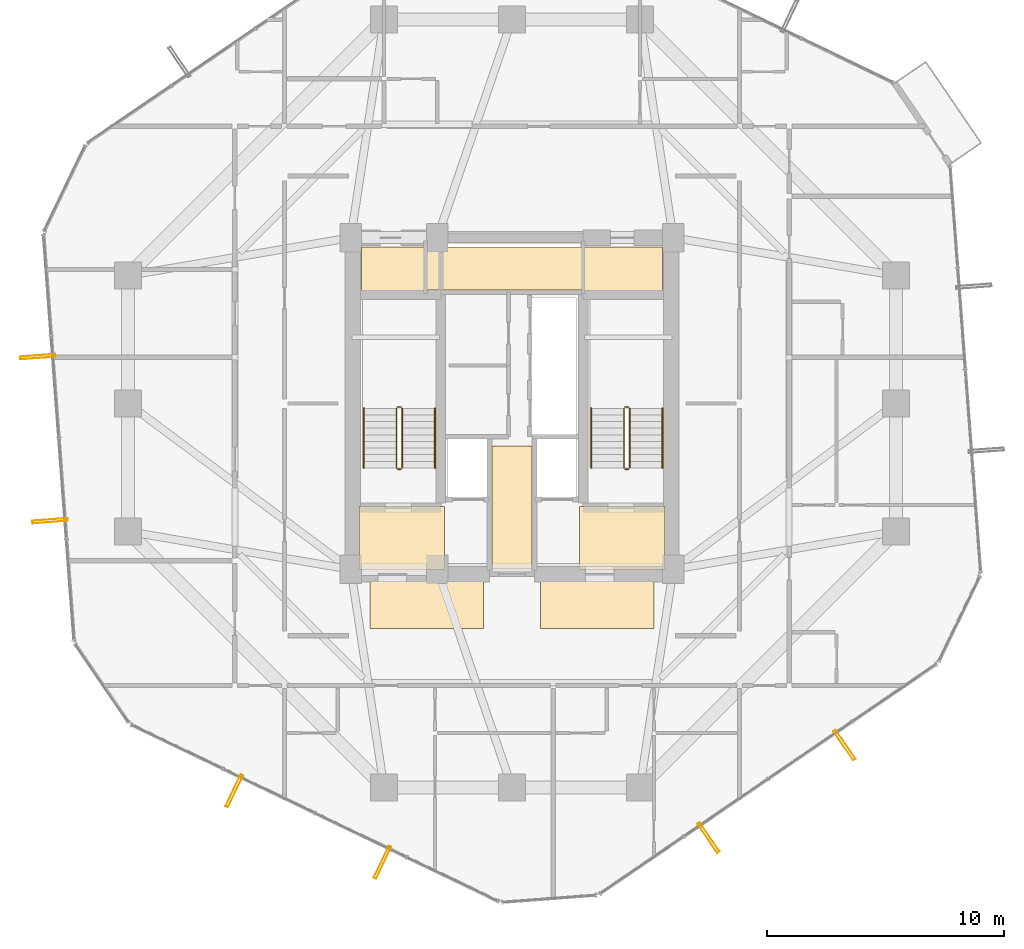
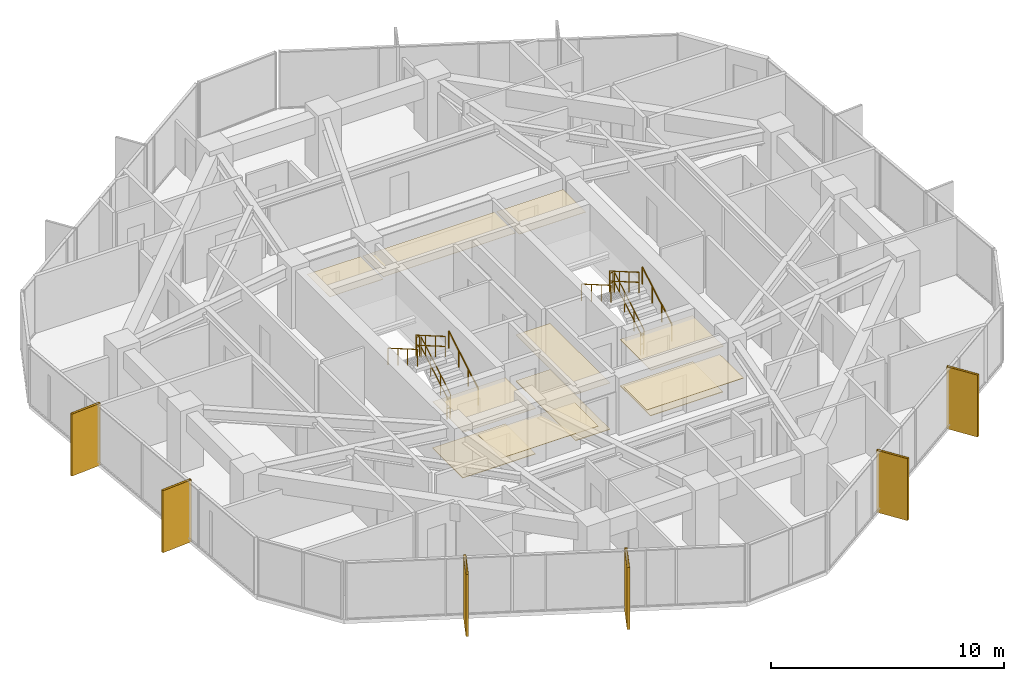
# One storey, part 34 of 35: 12 railings, 11 coverings, 6 shading devices.
"""IFC4 building model written with IfcOpenShell, lengths in metres."""

from ifc_helpers import new_model, si_unit, direction, frame, origin, origin_2d, place, context, subcontext, project, spatial, polyline, hollow_rectangle, circle, outline, extrude, material, layer, layer_set, material_profile, profile_set, type_object, element, save


model = new_model("IFC4")

# Units and contexts
model_context = context("Model", 3, precision=1e-05, world=origin(), true_north=direction((0.0, 1.0)))
body_context = subcontext(model_context, "Body", "Model", "MODEL_VIEW")
ifc_project = project(units=[si_unit("LENGTHUNIT", "METRE"), si_unit("AREAUNIT", "SQUARE_METRE"), si_unit("VOLUMEUNIT", "CUBIC_METRE"), si_unit("PLANEANGLEUNIT", "RADIAN"), si_unit("MASSUNIT", "GRAM", prefix="KILO")], contexts=[model_context])

# Site, building, storey
site_placement = place(None, origin())
site = spatial("IfcSite", under=ifc_project, at=site_placement, CompositionType="ELEMENT")
building_placement = place(site_placement, origin())
building = spatial("IfcBuilding", under=site, at=building_placement, Name="Veraguas Prism Commons", CompositionType="ELEMENT")
storey_placement = place(building_placement, frame((0.0, 0.0, 142.5)))
storey = spatial("IfcBuildingStorey", under=building, at=storey_placement, Name="L40", CompositionType="ELEMENT", Elevation=142.5)

# Shading devices
ifc_material_1 = material(Name="Anodised aluminium EN AW-6063 T6", Category="aluminium")
ifc_material_profile = material_profile(ifc_material_1, hollow_rectangle(XDim=0.1201171875, YDim=1.489990234375, WallThickness=0.006103515625, at=origin_2d()), Name="FIN120X1490X6")
ifc_profile_set = profile_set([ifc_material_profile], Name="Anodised aluminium EN AW-6063 T6")
shading_device_type = type_object("IfcShadingDeviceType", Name="Deep Pale-Metal Vertical Solar Fin 120x1490", PredefinedType="USERDEFINED", material=ifc_profile_set)
for number, where, z_axis, x_axis, name in (
    (1, (3.988037109375, 25.97607421875, -0.22998046875), (0.0, 0.0, 1.0), (0.074978726826, -0.997185133525, 0.0), "Vertical Pale-Metal Solar Fin L40-F3A"),
    (2, (4.508544921875, 19.0537109375, -0.22998046875), (0.0, 0.0, 1.0), (0.074978726826, -0.997185133525, 0.0), "Vertical Pale-Metal Solar Fin L40-F3B"),
    (3, (12.28271484375, 7.6572265625, -0.22998046875), (0.0, 0.0, 1.0), (0.901077021322, -0.433659084588, 0.0), "Vertical Pale-Metal Solar Fin L40-F4A"),
    (4, (18.537841796875, 4.646728515625, -0.22998046875), (0.0, 0.0, 1.0), (0.901077021322, -0.433659084588, 0.0), "Vertical Pale-Metal Solar Fin L40-F4B"),
    (5, (32.294677734375, 5.68115234375, -0.22998046875), (0.0, 0.0, 1.0), (0.826099278033, 0.563524607123, 0.0), "Vertical Pale-Metal Solar Fin L40-F5A"),
    (6, (38.029296875, 9.593017578125, -0.22998046875), (0.0, 0.0, 1.0), (0.826099278033, 0.563524607123, 0.0), "Vertical Pale-Metal Solar Fin L40-F5B"),
):
    element("IfcShadingDevice", number, at=place(storey_placement, frame(where, z_axis=z_axis, x_axis=x_axis)), inside=storey, type_object=shading_device_type, Name=name, ObjectType="FIN", PredefinedType="USERDEFINED", context=body_context, shape_type="SweptSolid", body=[
        extrude(hollow_rectangle(XDim=0.1201171875, YDim=1.489990234375, WallThickness=0.006103515625, at=origin_2d()), origin(), (0.0, 0.0, 1.0), 3.25),
    ])

# Coverings
ifc_material_2 = material(Name="Acoustic gypsum board")
ifc_layer_1 = layer(ifc_material_2, 0.02490234375, Name="Perforated Acoustic Ceiling Tile 25")
ifc_layer_set_1 = layer_set([ifc_layer_1], Name="Acoustic gypsum board")
covering_type_1 = type_object("IfcCoveringType", Name="Perforated Acoustic Ceiling Tile 25", PredefinedType="USERDEFINED", material=ifc_layer_set_1)
covering_1_placement = place(storey_placement, frame((0.0, 0.0, 2.425048828125)))
element("IfcCovering", 7, at=covering_1_placement, inside=storey, type_object=covering_type_1, Name="East Lobby Acoustic Ceiling L40", ObjectType="ACOUSTIC CEILING", PredefinedType="USERDEFINED", context=body_context, shape_type="SweptSolid", body=[
    extrude(outline(polyline([(26.85009765625, 17.0), (30.449951171875, 17.0), (30.449951171875, 19.64990234375), (26.85009765625, 19.64990234375), (26.85009765625, 17.0)])), origin(), (0.0, 0.0, 1.0), 0.02490234375),
])
ifc_material_3 = material(Name="Terrazzo stone finish", Category="masonry")
ifc_layer_2 = layer(ifc_material_3, 0.030029296875, Name="Polished Terrazzo Floor Finish 30", Category="masonry")
ifc_layer_set_2 = layer_set([ifc_layer_2], Name="Terrazzo stone finish")
covering_type_2 = type_object("IfcCoveringType", Name="Polished Terrazzo Floor Finish 30", PredefinedType="FLOORING", material=ifc_layer_set_2)
covering_2_placement = place(storey_placement, origin())
element("IfcCovering", 8, at=covering_2_placement, inside=storey, type_object=covering_type_2, Name="Terrazzo Lobby Flooring L40", PredefinedType="FLOORING", context=body_context, shape_type="SweptSolid", body=[
    extrude(outline(polyline([(23.14990234375, 17.050048828125), (24.85009765625, 17.050048828125), (24.85009765625, 22.199951171875), (23.14990234375, 22.199951171875), (23.14990234375, 17.050048828125)])), origin(), (0.0, 0.0, 1.0), 0.030029296875),
])
covering_3_placement = place(storey_placement, origin())
element("IfcCovering", 9, at=covering_3_placement, inside=storey, type_object=covering_type_2, Name="West FF Lobby Terrazzo Flooring L40", PredefinedType="FLOORING", context=body_context, shape_type="SweptSolid", body=[
    extrude(outline(polyline([(17.550048828125, 17.050048828125), (21.14990234375, 17.050048828125), (21.14990234375, 19.64990234375), (17.550048828125, 19.64990234375), (17.550048828125, 17.050048828125)])), origin(), (0.0, 0.0, 1.0), 0.030029296875),
])
covering_4_placement = place(storey_placement, origin())
element("IfcCovering", 10, at=covering_4_placement, inside=storey, type_object=covering_type_2, Name="East FF Lobby Terrazzo Flooring L40", PredefinedType="FLOORING", context=body_context, shape_type="SweptSolid", body=[
    extrude(outline(polyline([(26.85009765625, 17.050048828125), (30.449951171875, 17.050048828125), (30.449951171875, 19.64990234375), (26.85009765625, 19.64990234375), (26.85009765625, 17.050048828125)])), origin(), (0.0, 0.0, 1.0), 0.030029296875),
])

# Railings
ifc_material_4 = material(Name="Stainless steel AISI 316", Category="steel")
railing_type_1 = type_object("IfcRailingType", Name="Stair and Ramp Stainless Handrail 900", PredefinedType="HANDRAIL", material=ifc_material_4)
railing_1_placement = place(storey_placement, frame((20.75, 21.280029296875, 0.16259765625)))
element("IfcRailing", 11, at=railing_1_placement, inside=storey, type_object=railing_type_1, Name="Stair Handrail ST-01 L40-1", PredefinedType="HANDRAIL", context=body_context, shape_type="SweptSolid", body=[
    extrude(circle(Radius=0.02392578125, at=origin_2d()), frame((0.0, 0.0, 0.8759765625), z_axis=(0.0, 0.864913338283, 0.50192122615), x_axis=(-1.0, 0.0, 0.0)), (0.0, 0.0, 1.0), 2.91357421875),
    extrude(circle(Radius=0.02099609375, at=origin_2d()), origin(), (0.0, 0.0, 1.0), 0.851806640625),
    extrude(circle(Radius=0.02099609375, at=origin_2d()), frame((0.0, 0.840087890625, 0.487548828125)), (0.0, 0.0, 1.0), 0.851806640625),
    extrude(circle(Radius=0.02099609375, at=origin_2d()), frame((0.0, 1.679931640625, 0.974853515625)), (0.0, 0.0, 1.0), 0.851806640625),
    extrude(circle(Radius=0.02099609375, at=origin_2d()), frame((0.0, 2.52001953125, 1.46240234375)), (0.0, 0.0, 1.0), 0.851806640625),
])
railing_2_placement = place(storey_placement, frame((17.739990234375, 23.800048828125, 1.78759765625)))
element("IfcRailing", 12, at=railing_2_placement, inside=storey, type_object=railing_type_1, Name="Stair Handrail ST-01 L40-2", PredefinedType="HANDRAIL", context=body_context, shape_type="SweptSolid", body=[
    extrude(circle(Radius=0.02392578125, at=origin_2d()), frame((0.0, 0.0, 0.8759765625), z_axis=(0.0, -0.864913338283, 0.50192122615), x_axis=(1.0, 0.0, 0.0)), (0.0, 0.0, 1.0), 2.91357421875),
    extrude(circle(Radius=0.02099609375, at=origin_2d()), origin(), (0.0, 0.0, 1.0), 0.851806640625),
    extrude(circle(Radius=0.02099609375, at=origin_2d()), frame((0.0, -0.840087890625, 0.487548828125)), (0.0, 0.0, 1.0), 0.851806640625),
    extrude(circle(Radius=0.02099609375, at=origin_2d()), frame((0.0, -1.679931640625, 0.974853515625)), (0.0, 0.0, 1.0), 0.851806640625),
    extrude(circle(Radius=0.02099609375, at=origin_2d()), frame((0.0, -2.52001953125, 1.46240234375)), (0.0, 0.0, 1.0), 0.851806640625),
])
railing_3_placement = place(storey_placement, frame((30.35009765625, 21.280029296875, 0.16259765625)))
element("IfcRailing", 13, at=railing_3_placement, inside=storey, type_object=railing_type_1, Name="Stair Handrail ST-02 L40-1", PredefinedType="HANDRAIL", context=body_context, shape_type="SweptSolid", body=[
    extrude(circle(Radius=0.02392578125, at=origin_2d()), frame((0.0, 0.0, 0.8759765625), z_axis=(0.0, 0.864913338283, 0.50192122615), x_axis=(-1.0, 0.0, 0.0)), (0.0, 0.0, 1.0), 2.91357421875),
    extrude(circle(Radius=0.02099609375, at=origin_2d()), origin(), (0.0, 0.0, 1.0), 0.851806640625),
    extrude(circle(Radius=0.02099609375, at=origin_2d()), frame((0.0, 0.840087890625, 0.487548828125)), (0.0, 0.0, 1.0), 0.851806640625),
    extrude(circle(Radius=0.02099609375, at=origin_2d()), frame((0.0, 1.679931640625, 0.974853515625)), (0.0, 0.0, 1.0), 0.851806640625),
    extrude(circle(Radius=0.02099609375, at=origin_2d()), frame((0.0, 2.52001953125, 1.46240234375)), (0.0, 0.0, 1.0), 0.851806640625),
])
railing_4_placement = place(storey_placement, frame((27.340087890625, 23.800048828125, 1.78759765625)))
element("IfcRailing", 14, at=railing_4_placement, inside=storey, type_object=railing_type_1, Name="Stair Handrail ST-02 L40-2", PredefinedType="HANDRAIL", context=body_context, shape_type="SweptSolid", body=[
    extrude(circle(Radius=0.02392578125, at=origin_2d()), frame((0.0, 0.0, 0.8759765625), z_axis=(0.0, -0.864913338283, 0.50192122615), x_axis=(1.0, 0.0, 0.0)), (0.0, 0.0, 1.0), 2.91357421875),
    extrude(circle(Radius=0.02099609375, at=origin_2d()), origin(), (0.0, 0.0, 1.0), 0.851806640625),
    extrude(circle(Radius=0.02099609375, at=origin_2d()), frame((0.0, -0.840087890625, 0.487548828125)), (0.0, 0.0, 1.0), 0.851806640625),
    extrude(circle(Radius=0.02099609375, at=origin_2d()), frame((0.0, -1.679931640625, 0.974853515625)), (0.0, 0.0, 1.0), 0.851806640625),
    extrude(circle(Radius=0.02099609375, at=origin_2d()), frame((0.0, -2.52001953125, 1.46240234375)), (0.0, 0.0, 1.0), 0.851806640625),
])
railing_type_2 = type_object("IfcRailingType", Name="Stairwell Safety Guardrail 1100", PredefinedType="GUARDRAIL", material=ifc_material_4)
railing_5_placement = place(storey_placement, frame((19.3701171875, 21.280029296875, 0.16259765625)))
element("IfcRailing", 15, at=railing_5_placement, inside=storey, type_object=railing_type_2, Name="Stair Guard ST-01 L40-1", PredefinedType="GUARDRAIL", context=body_context, shape_type="SweptSolid", body=[
    extrude(circle(Radius=0.02392578125, at=origin_2d()), frame((0.0, 0.0, 1.076171875), z_axis=(0.0, 0.864913338283, 0.50192122615), x_axis=(-1.0, 0.0, 0.0)), (0.0, 0.0, 1.0), 2.91357421875),
    extrude(circle(Radius=0.02392578125, at=origin_2d()), frame((0.0, 0.0, 0.550048828125), z_axis=(0.0, 0.864913338283, 0.50192122615), x_axis=(-1.0, 0.0, 0.0)), (0.0, 0.0, 1.0), 2.91357421875),
    extrude(circle(Radius=0.02099609375, at=origin_2d()), origin(), (0.0, 0.0, 1.0), 1.052001953125),
    extrude(circle(Radius=0.02099609375, at=origin_2d()), frame((0.0, 0.840087890625, 0.487548828125)), (0.0, 0.0, 1.0), 1.052001953125),
    extrude(circle(Radius=0.02099609375, at=origin_2d()), frame((0.0, 1.679931640625, 0.974853515625)), (0.0, 0.0, 1.0), 1.052001953125),
    extrude(circle(Radius=0.02099609375, at=origin_2d()), frame((0.0, 2.52001953125, 1.46240234375)), (0.0, 0.0, 1.0), 1.052001953125),
])
railing_6_placement = place(storey_placement, frame((19.320068359375, 23.85009765625, 1.625)))
element("IfcRailing", 16, at=railing_6_placement, inside=storey, type_object=railing_type_2, Name="Stair Guard ST-01 L40-2", PredefinedType="GUARDRAIL", context=body_context, shape_type="SweptSolid", body=[
    extrude(circle(Radius=0.02392578125, at=origin_2d()), frame((0.0, 0.0, 1.076171875), z_axis=(-1.0, 0.0, 0.0), x_axis=(0.0, -1.0, 0.0)), (0.0, 0.0, 1.0), 0.150146484375),
    extrude(circle(Radius=0.02392578125, at=origin_2d()), frame((0.0, 0.0, 0.550048828125), z_axis=(-1.0, 0.0, 0.0), x_axis=(0.0, -1.0, 0.0)), (0.0, 0.0, 1.0), 0.150146484375),
    extrude(circle(Radius=0.02099609375, at=origin_2d()), origin(), (0.0, 0.0, 1.0), 1.052001953125),
    extrude(circle(Radius=0.02099609375, at=origin_2d()), frame((-0.150146484375, 0.0, 0.0)), (0.0, 0.0, 1.0), 1.052001953125),
])
railing_7_placement = place(storey_placement, frame((19.1201171875, 23.800048828125, 1.78759765625)))
element("IfcRailing", 17, at=railing_7_placement, inside=storey, type_object=railing_type_2, Name="Stair Guard ST-01 L40-3", PredefinedType="GUARDRAIL", context=body_context, shape_type="SweptSolid", body=[
    extrude(circle(Radius=0.02392578125, at=origin_2d()), frame((0.0, 0.0, 1.076171875), z_axis=(0.0, -0.864913338283, 0.50192122615), x_axis=(1.0, 0.0, 0.0)), (0.0, 0.0, 1.0), 2.91357421875),
    extrude(circle(Radius=0.02392578125, at=origin_2d()), frame((0.0, 0.0, 0.550048828125), z_axis=(0.0, -0.864913338283, 0.50192122615), x_axis=(1.0, 0.0, 0.0)), (0.0, 0.0, 1.0), 2.91357421875),
    extrude(circle(Radius=0.02099609375, at=origin_2d()), origin(), (0.0, 0.0, 1.0), 1.052001953125),
    extrude(circle(Radius=0.02099609375, at=origin_2d()), frame((0.0, -0.840087890625, 0.487548828125)), (0.0, 0.0, 1.0), 1.052001953125),
    extrude(circle(Radius=0.02099609375, at=origin_2d()), frame((0.0, -1.679931640625, 0.974853515625)), (0.0, 0.0, 1.0), 1.052001953125),
    extrude(circle(Radius=0.02099609375, at=origin_2d()), frame((0.0, -2.52001953125, 1.46240234375)), (0.0, 0.0, 1.0), 1.052001953125),
])
railing_8_placement = place(storey_placement, frame((19.320068359375, 21.22998046875, 0.0)))
element("IfcRailing", 18, at=railing_8_placement, inside=storey, type_object=railing_type_2, Name="Stair Guard ST-01 L40-4", PredefinedType="GUARDRAIL", context=body_context, shape_type="SweptSolid", body=[
    extrude(circle(Radius=0.02392578125, at=origin_2d()), frame((0.0, 0.0, 1.076171875), z_axis=(-1.0, 0.0, 0.0), x_axis=(0.0, -1.0, 0.0)), (0.0, 0.0, 1.0), 0.150146484375),
    extrude(circle(Radius=0.02392578125, at=origin_2d()), frame((0.0, 0.0, 0.550048828125), z_axis=(-1.0, 0.0, 0.0), x_axis=(0.0, -1.0, 0.0)), (0.0, 0.0, 1.0), 0.150146484375),
    extrude(circle(Radius=0.02099609375, at=origin_2d()), origin(), (0.0, 0.0, 1.0), 1.052001953125),
    extrude(circle(Radius=0.02099609375, at=origin_2d()), frame((-0.150146484375, 0.0, 0.0)), (0.0, 0.0, 1.0), 1.052001953125),
])
railing_9_placement = place(storey_placement, frame((28.969970703125, 21.280029296875, 0.16259765625)))
element("IfcRailing", 19, at=railing_9_placement, inside=storey, type_object=railing_type_2, Name="Stair Guard ST-02 L40-1", PredefinedType="GUARDRAIL", context=body_context, shape_type="SweptSolid", body=[
    extrude(circle(Radius=0.02392578125, at=origin_2d()), frame((0.0, 0.0, 1.076171875), z_axis=(0.0, 0.864913338283, 0.50192122615), x_axis=(-1.0, 0.0, 0.0)), (0.0, 0.0, 1.0), 2.91357421875),
    extrude(circle(Radius=0.02392578125, at=origin_2d()), frame((0.0, 0.0, 0.550048828125), z_axis=(0.0, 0.864913338283, 0.50192122615), x_axis=(-1.0, 0.0, 0.0)), (0.0, 0.0, 1.0), 2.91357421875),
    extrude(circle(Radius=0.02099609375, at=origin_2d()), origin(), (0.0, 0.0, 1.0), 1.052001953125),
    extrude(circle(Radius=0.02099609375, at=origin_2d()), frame((0.0, 0.840087890625, 0.487548828125)), (0.0, 0.0, 1.0), 1.052001953125),
    extrude(circle(Radius=0.02099609375, at=origin_2d()), frame((0.0, 1.679931640625, 0.974853515625)), (0.0, 0.0, 1.0), 1.052001953125),
    extrude(circle(Radius=0.02099609375, at=origin_2d()), frame((0.0, 2.52001953125, 1.46240234375)), (0.0, 0.0, 1.0), 1.052001953125),
])
railing_10_placement = place(storey_placement, frame((28.919921875, 23.85009765625, 1.625)))
element("IfcRailing", 20, at=railing_10_placement, inside=storey, type_object=railing_type_2, Name="Stair Guard ST-02 L40-2", PredefinedType="GUARDRAIL", context=body_context, shape_type="SweptSolid", body=[
    extrude(circle(Radius=0.02392578125, at=origin_2d()), frame((0.0, 0.0, 1.076171875), z_axis=(-1.0, 0.0, 0.0), x_axis=(0.0, -1.0, 0.0)), (0.0, 0.0, 1.0), 0.14990234375),
    extrude(circle(Radius=0.02392578125, at=origin_2d()), frame((0.0, 0.0, 0.550048828125), z_axis=(-1.0, 0.0, 0.0), x_axis=(0.0, -1.0, 0.0)), (0.0, 0.0, 1.0), 0.14990234375),
    extrude(circle(Radius=0.02099609375, at=origin_2d()), origin(), (0.0, 0.0, 1.0), 1.052001953125),
    extrude(circle(Radius=0.02099609375, at=origin_2d()), frame((-0.14990234375, 0.0, 0.0)), (0.0, 0.0, 1.0), 1.052001953125),
])
railing_11_placement = place(storey_placement, frame((28.719970703125, 23.800048828125, 1.78759765625)))
element("IfcRailing", 21, at=railing_11_placement, inside=storey, type_object=railing_type_2, Name="Stair Guard ST-02 L40-3", PredefinedType="GUARDRAIL", context=body_context, shape_type="SweptSolid", body=[
    extrude(circle(Radius=0.02392578125, at=origin_2d()), frame((0.0, 0.0, 1.076171875), z_axis=(0.0, -0.864913338283, 0.50192122615), x_axis=(1.0, 0.0, 0.0)), (0.0, 0.0, 1.0), 2.91357421875),
    extrude(circle(Radius=0.02392578125, at=origin_2d()), frame((0.0, 0.0, 0.550048828125), z_axis=(0.0, -0.864913338283, 0.50192122615), x_axis=(1.0, 0.0, 0.0)), (0.0, 0.0, 1.0), 2.91357421875),
    extrude(circle(Radius=0.02099609375, at=origin_2d()), origin(), (0.0, 0.0, 1.0), 1.052001953125),
    extrude(circle(Radius=0.02099609375, at=origin_2d()), frame((0.0, -0.840087890625, 0.487548828125)), (0.0, 0.0, 1.0), 1.052001953125),
    extrude(circle(Radius=0.02099609375, at=origin_2d()), frame((0.0, -1.679931640625, 0.974853515625)), (0.0, 0.0, 1.0), 1.052001953125),
    extrude(circle(Radius=0.02099609375, at=origin_2d()), frame((0.0, -2.52001953125, 1.46240234375)), (0.0, 0.0, 1.0), 1.052001953125),
])
railing_12_placement = place(storey_placement, frame((28.919921875, 21.22998046875, 0.0)))
element("IfcRailing", 22, at=railing_12_placement, inside=storey, type_object=railing_type_2, Name="Stair Guard ST-02 L40-4", PredefinedType="GUARDRAIL", context=body_context, shape_type="SweptSolid", body=[
    extrude(circle(Radius=0.02392578125, at=origin_2d()), frame((0.0, 0.0, 1.076171875), z_axis=(-1.0, 0.0, 0.0), x_axis=(0.0, -1.0, 0.0)), (0.0, 0.0, 1.0), 0.14990234375),
    extrude(circle(Radius=0.02392578125, at=origin_2d()), frame((0.0, 0.0, 0.550048828125), z_axis=(-1.0, 0.0, 0.0), x_axis=(0.0, -1.0, 0.0)), (0.0, 0.0, 1.0), 0.14990234375),
    extrude(circle(Radius=0.02099609375, at=origin_2d()), origin(), (0.0, 0.0, 1.0), 1.052001953125),
    extrude(circle(Radius=0.02099609375, at=origin_2d()), frame((-0.14990234375, 0.0, 0.0)), (0.0, 0.0, 1.0), 1.052001953125),
])

# Coverings
ifc_layer_3 = layer(ifc_material_2, 0.02001953125, Name="Suspended Gypsum Ceiling 20")
ifc_layer_set_3 = layer_set([ifc_layer_3], Name="Acoustic gypsum board")
covering_type_3 = type_object("IfcCoveringType", Name="Suspended Gypsum Ceiling 20", PredefinedType="CEILING", material=ifc_layer_set_3)
covering_5_placement = place(storey_placement, frame((0.0, 0.0, 2.429931640625)))
element("IfcCovering", 23, at=covering_5_placement, inside=storey, type_object=covering_type_3, Name="West Lobby Suspended Gypsum Ceiling L40", PredefinedType="CEILING", context=body_context, shape_type="SweptSolid", body=[
    extrude(outline(polyline([(17.550048828125, 17.0), (21.14990234375, 17.0), (21.14990234375, 19.64990234375), (17.550048828125, 19.64990234375), (17.550048828125, 17.0)])), origin(), (0.0, 0.0, 1.0), 0.02001953125),
])
covering_6_placement = place(storey_placement, frame((0.0, 0.0, 2.429931640625)))
element("IfcCovering", 24, at=covering_6_placement, inside=storey, type_object=covering_type_3, Name="Core Lobby Acoustic Ceiling L40-1", PredefinedType="CEILING", context=body_context, shape_type="SweptSolid", body=[
    extrude(outline(polyline([(18.0, 14.5), (22.800048828125, 14.5), (22.800048828125, 16.550048828125), (18.0, 16.550048828125), (18.0, 14.5)])), origin(), (0.0, 0.0, 1.0), 0.02001953125),
])
covering_7_placement = place(storey_placement, frame((0.0, 0.0, 2.429931640625)))
element("IfcCovering", 25, at=covering_7_placement, inside=storey, type_object=covering_type_3, Name="Core Lobby Acoustic Ceiling L40-2", PredefinedType="CEILING", context=body_context, shape_type="SweptSolid", body=[
    extrude(outline(polyline([(25.199951171875, 14.5), (30.0, 14.5), (30.0, 16.550048828125), (25.199951171875, 16.550048828125), (25.199951171875, 14.5)])), origin(), (0.0, 0.0, 1.0), 0.02001953125),
])
covering_8_placement = place(storey_placement, frame((0.0, 0.0, 2.429931640625)))
element("IfcCovering", 26, at=covering_8_placement, inside=storey, type_object=covering_type_3, Name="Core Lobby Acoustic Ceiling L40-3", PredefinedType="CEILING", context=body_context, shape_type="SweptSolid", body=[
    extrude(outline(polyline([(23.14990234375, 17.050048828125), (24.85009765625, 17.050048828125), (24.85009765625, 22.199951171875), (23.14990234375, 22.199951171875), (23.14990234375, 17.050048828125)])), origin(), (0.0, 0.0, 1.0), 0.02001953125),
])
covering_9_placement = place(storey_placement, frame((0.0, 0.0, 2.429931640625)))
element("IfcCovering", 27, at=covering_9_placement, inside=storey, type_object=covering_type_3, Name="Core Lobby Acoustic Ceiling L40-4", PredefinedType="CEILING", context=body_context, shape_type="SweptSolid", body=[
    extrude(outline(polyline([(17.64990234375, 28.64990234375), (20.300048828125, 28.64990234375), (20.300048828125, 30.60009765625), (17.64990234375, 30.60009765625), (17.64990234375, 28.64990234375)])), origin(), (0.0, 0.0, 1.0), 0.02001953125),
])
covering_10_placement = place(storey_placement, frame((0.0, 0.0, 2.429931640625)))
element("IfcCovering", 28, at=covering_10_placement, inside=storey, type_object=covering_type_3, Name="Core Lobby Acoustic Ceiling L40-5", PredefinedType="CEILING", context=body_context, shape_type="SweptSolid", body=[
    extrude(outline(polyline([(27.050048828125, 28.64990234375), (30.35009765625, 28.64990234375), (30.35009765625, 30.60009765625), (27.050048828125, 30.60009765625), (27.050048828125, 28.64990234375)])), origin(), (0.0, 0.0, 1.0), 0.02001953125),
])
covering_11_placement = place(storey_placement, frame((0.0, 0.0, 2.429931640625)))
element("IfcCovering", 29, at=covering_11_placement, inside=storey, type_object=covering_type_3, Name="Core Lobby Acoustic Ceiling L40-6", PredefinedType="CEILING", context=body_context, shape_type="SweptSolid", body=[
    extrude(outline(polyline([(20.39990234375, 28.800048828125), (26.949951171875, 28.800048828125), (26.949951171875, 30.60009765625), (20.39990234375, 30.60009765625), (20.39990234375, 28.800048828125)])), origin(), (0.0, 0.0, 1.0), 0.02001953125),
])

save(model, "model.ifc")
